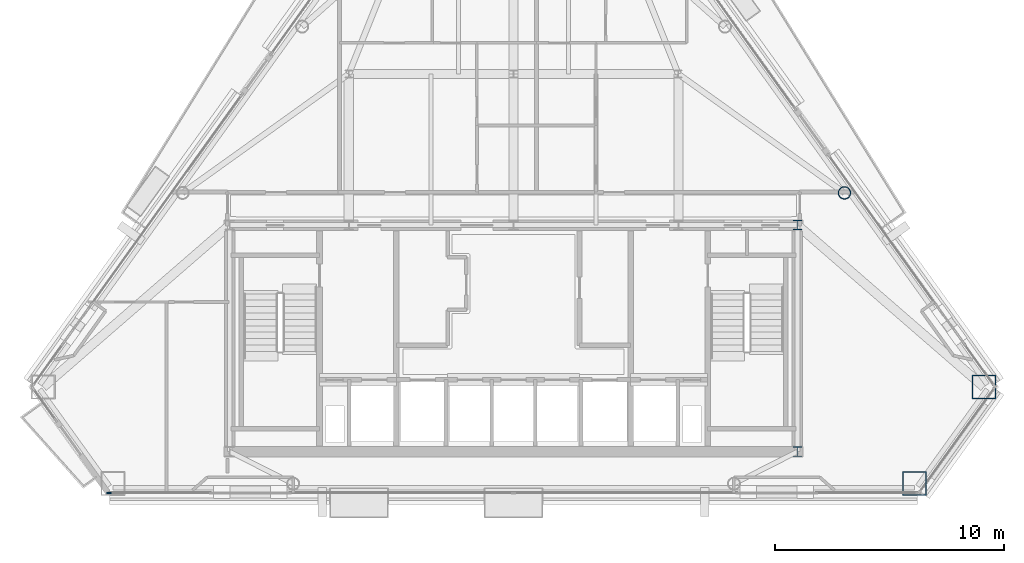
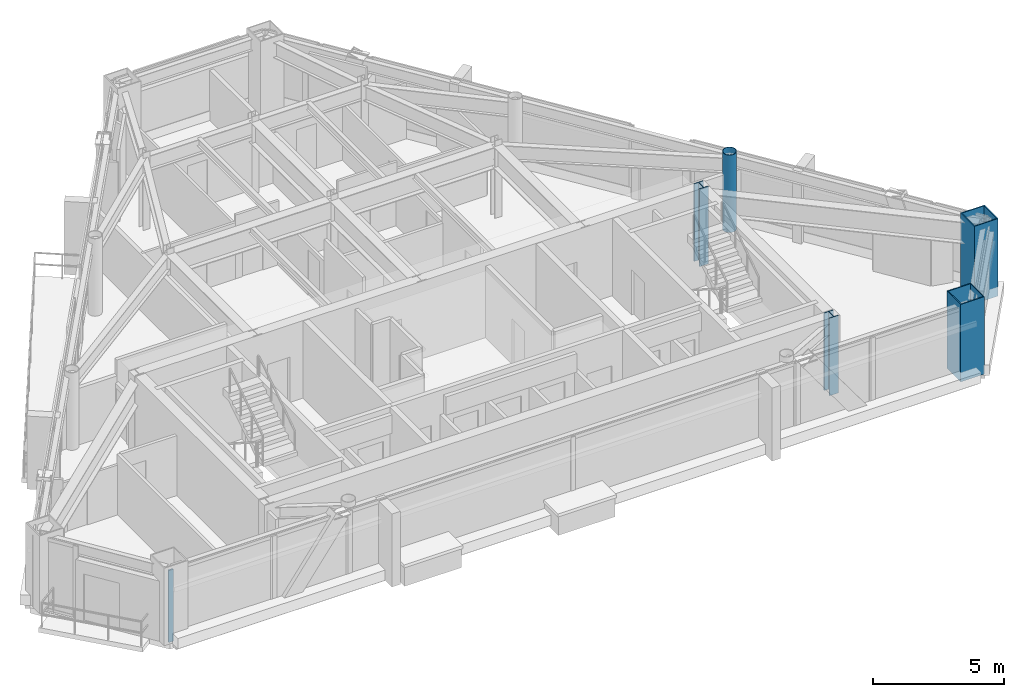
# One storey, part 2 of 11: 5 columns, 1 member, 1 element without a shape of its own.
"""IFC4 building model written with IfcOpenShell, lengths in metres."""

from ifc_helpers import new_model, si_unit, direction, frame, origin, origin_2d, place, context, subcontext, project, spatial, rectangle, hollow_rectangle, hollow_circle, i_section, extrude, material, layer, layer_set, material_profile, profile_set, type_object, element, aggregate, save


model = new_model("IFC4")

# Units and contexts
model_context = context("Model", 3, precision=1e-05, world=origin(), true_north=direction((0.0, 1.0)))
body_context = subcontext(model_context, "Body", "Model", "MODEL_VIEW")
ifc_project = project(units=[si_unit("LENGTHUNIT", "METRE"), si_unit("AREAUNIT", "SQUARE_METRE"), si_unit("VOLUMEUNIT", "CUBIC_METRE"), si_unit("PLANEANGLEUNIT", "RADIAN"), si_unit("MASSUNIT", "GRAM", prefix="KILO")], contexts=[model_context])

# Site, building, storey
site_placement = place(None, origin())
site = spatial("IfcSite", under=ifc_project, at=site_placement, CompositionType="ELEMENT")
building_placement = place(site_placement, origin())
building = spatial("IfcBuilding", under=site, at=building_placement, Name="Talgorran Terracotta Tower", CompositionType="ELEMENT")
storey_placement = place(building_placement, frame((0.0, 0.0, 210.89990234375)))
storey = spatial("IfcBuildingStorey", under=building, at=storey_placement, Name="L55", CompositionType="ELEMENT", Elevation=210.89990234375)

# Columns
ifc_material_1 = material(Name="Steel S355 (300PLUS)", Category="steel")
ifc_material_profile_1 = material_profile(ifc_material_1, i_section(OverallWidth=0.39990234375, OverallDepth=0.43994140625, WebThickness=0.028076171875, FlangeThickness=0.0400390625, at=origin_2d()), Name="400WC328")
ifc_profile_set_1 = profile_set([ifc_material_profile_1], Name="Steel S355 (300PLUS)")
column_type_1 = type_object("IfcColumnType", Name="COL_400WC328", PredefinedType="COLUMN", material=ifc_profile_set_1)
for number, where, z_axis, x_axis, name in (
    (1, (12.39990234375, -14.10009765625, 0.0), (0.0, 0.0, 1.0), (1.0, 0.0, 0.0), "L55 Core Boundary Column CC2"),
    (2, (12.39990234375, -4.199951171875, 0.0), (0.0, 0.0, 1.0), (1.0, 0.0, 0.0), "L55 Core Boundary Column CC3"),
):
    element("IfcColumn", number, at=place(storey_placement, frame(where, z_axis=z_axis, x_axis=x_axis)), inside=storey, type_object=column_type_1, Name=name, PredefinedType="COLUMN", context=body_context, shape_type="SweptSolid", body=[
        extrude(i_section(OverallWidth=0.39990234375, OverallDepth=0.43994140625, WebThickness=0.028076171875, FlangeThickness=0.0400390625, at=origin_2d()), origin(), (0.0, 0.0, 1.0), 3.60009765625),
    ])
ifc_material_2 = material(Name="Steel Grade 350 (350L0)", Category="steel")
ifc_material_profile_2 = material_profile(ifc_material_2, hollow_rectangle(XDim=1.050048828125, YDim=1.050048828125, WallThickness=0.044921875, at=origin_2d()), Name="CFT1050X1050X45")
ifc_profile_set_2 = profile_set([ifc_material_profile_2], Name="Steel Grade 350 (350L0)")
column_type_2 = type_object("IfcColumnType", Name="COL_CFT_1050", PredefinedType="COLUMN", material=ifc_profile_set_2)
for number, where, z_axis, x_axis, name in (
    (3, (17.5107421875, -15.49658203125, 0.0), (0.0, 0.0, 1.0), (1.0, 0.0, 0.0), "L55 Corner CFT Mega-Column MC3"),
    (4, (20.54833984375, -11.26953125, 0.0), (0.0, 0.0, 1.0), (1.0, 0.0, 0.0), "L55 Corner CFT Mega-Column MC4"),
):
    element("IfcColumn", number, at=place(storey_placement, frame(where, z_axis=z_axis, x_axis=x_axis)), inside=storey, type_object=column_type_2, Name=name, PredefinedType="COLUMN", context=body_context, shape_type="SweptSolid", body=[
        extrude(hollow_rectangle(XDim=1.050048828125, YDim=1.050048828125, WallThickness=0.044921875, at=origin_2d()), origin(), (0.0, 0.0, 1.0), 3.60009765625),
    ])
ifc_material_profile_3 = material_profile(ifc_material_2, hollow_circle(Radius=0.27490234375, WallThickness=0.02392578125, at=origin_2d()), Name="CHS550X24")
ifc_profile_set_3 = profile_set([ifc_material_profile_3], Name="Steel Grade 350 (350L0)")
column_type_3 = type_object("IfcColumnType", Name="COL_CHS_550", PredefinedType="COLUMN", material=ifc_profile_set_3)
column_placement = place(storey_placement, frame((14.45703125, -2.79296875, 0.0), z_axis=(0.0, 0.0, 1.0), x_axis=(1.0, 0.0, 0.0)))
element("IfcColumn", 5, at=column_placement, inside=storey, type_object=column_type_3, Name="L55 Facet Perimeter Column FC3", PredefinedType="COLUMN", context=body_context, shape_type="SweptSolid", body=[
    extrude(hollow_circle(Radius=0.27490234375, WallThickness=0.02392578125, at=origin_2d()), origin(), (0.0, 0.0, 1.0), 3.60009765625),
])

# Curtain wall, member
ifc_material_3 = material(Name="High-Wind Unitised Glazing", Category="glass")
ifc_layer = layer(ifc_material_3, 0.2099609375, Name="CW_SYS3_RES_HIGH")
ifc_layer_set = layer_set([ifc_layer], Name="High-Wind Unitised Glazing")
curtain_wall_type = type_object("IfcCurtainWallType", Name="CW_SYS3_RES_HIGH", PredefinedType="NOTDEFINED", material=ifc_layer_set)
curtain_wall_placement = place(storey_placement, origin())
curtain_wall = element("IfcCurtainWall", 6, at=curtain_wall_placement, inside=storey, type_object=curtain_wall_type, Name="CW-L55-F1", PredefinedType="NOTDEFINED")
ifc_material_4 = material(Name="Architectural Aluminium 6063-T6", Category="aluminium")
ifc_material_profile_4 = material_profile(ifc_material_4, rectangle(XDim=0.070068359375, YDim=0.199951171875, at=origin_2d()), Name="CWM70X200")
ifc_profile_set_4 = profile_set([ifc_material_profile_4], Name="Architectural Aluminium 6063-T6")
member_type = type_object("IfcMemberType", Name="MUL_70X200", PredefinedType="MULLION", material=ifc_profile_set_4)
member_placement = place(storey_placement, frame((-17.680908203125, -15.896728515625, 0.0), z_axis=(0.0, 0.0, 1.0), x_axis=(0.0, 1.0, 0.0)))
member = element("IfcMember", 7, at=member_placement, type_object=member_type, Name="CW-L55-1 mullion 1", PredefinedType="MULLION", context=body_context, shape_type="SweptSolid", body=[
    extrude(rectangle(XDim=0.070068359375, YDim=0.199951171875, at=origin_2d()), origin(), (0.0, 0.0, 1.0), 3.34521484375),
])
aggregate(curtain_wall, [member])

save(model, "model.ifc")
